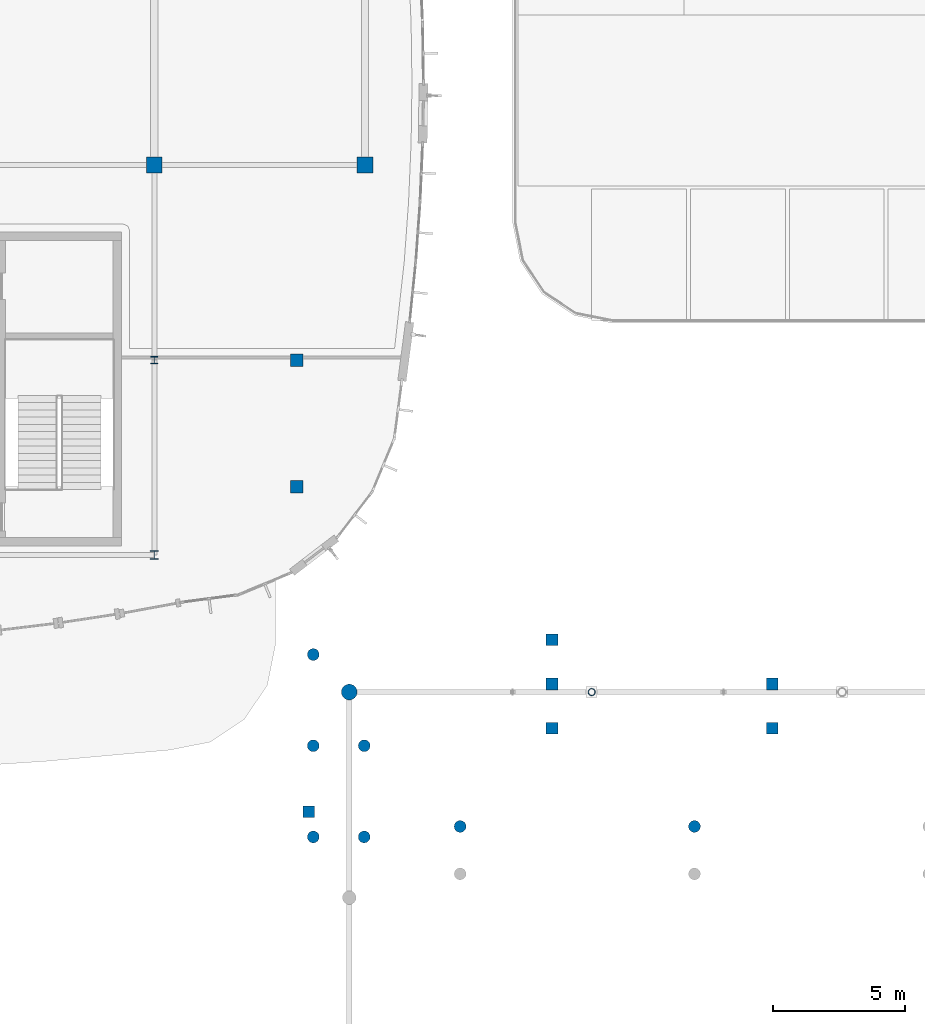
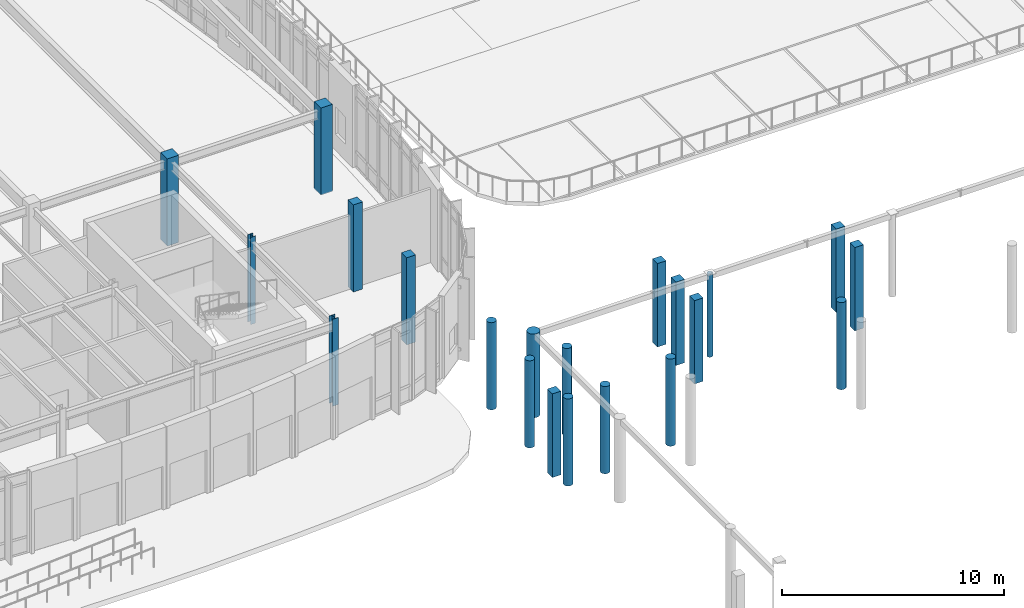
# One storey, part 9 of 120: 21 columns.
"""IFC4 building model written with IfcOpenShell, lengths in metres."""

import ifcopenshell
import ifcopenshell.guid

model = None  # the IFC model being written
_history = None  # IfcOwnerHistory: only IFC2X3 demands one
_inside = {}  # id of a spatial element -> (the spatial element, [elements in it])
_under = {}  # id of a project, library or spatial element -> (it, [spatial elements below it])
_declared = {}  # id of a project -> (the project, [libraries it declares])
_typed = {}  # id of a type object -> (the type object, [elements of that type])
_made_of = {}  # id of a material, layer set ... -> (it, [elements and type objects made of it])


def new_model(schema):
    """Start an empty IFC model of exactly this schema.

    Asked for "IFC4X3", IfcOpenShell would pick the latest addendum, in which some entities
    have other attributes; the version numbers below select the first issue.
    IFC2X3 requires an IfcOwnerHistory on every rooted entity: one is made here for all.
    """
    global model, _history
    if schema == "IFC4X3":
        model = ifcopenshell.file(schema_version=(4, 3, 0, 0))
    else:
        model = ifcopenshell.file(schema=schema)
    _inside.clear()
    _under.clear()
    _declared.clear()
    _typed.clear()
    _made_of.clear()
    _history = None
    if model.schema == "IFC2X3":
        org = make("IfcOrganization", Name="unknown")
        user = make(
            "IfcPersonAndOrganization",
            ThePerson=make("IfcPerson", FamilyName="unknown"),
            TheOrganization=org,
        )
        app = make(
            "IfcApplication",
            ApplicationDeveloper=org,
            Version="unknown",
            ApplicationFullName="unknown",
            ApplicationIdentifier="unknown",
        )
        _history = make(
            "IfcOwnerHistory",
            OwningUser=user,
            OwningApplication=app,
            ChangeAction="ADDED",
            CreationDate=0,
        )
    return model


def make(cls, **values):
    """One entity of the class cls with the attributes given. An attribute that is None is left unset."""
    return model.create_entity(
        cls, **{name: value for name, value in values.items() if value is not None}
    )


def rooted(cls, **values):
    """An entity with a GlobalId (a new one), such as an element, a storey or a relation."""
    return make(cls, GlobalId=ifcopenshell.guid.new(), OwnerHistory=_history, **values)


def si_unit(unit_type, name, prefix=None):
    """IfcSIUnit, for example si_unit("LENGTHUNIT", "METRE", prefix="MILLI")."""
    return make("IfcSIUnit", UnitType=unit_type, Prefix=prefix, Name=name)


def assignment(units):
    """IfcUnitAssignment: the units of a project."""
    return None if units is None else make("IfcUnitAssignment", Units=units)


def point(xyz):
    """IfcCartesianPoint."""
    return None if xyz is None else make("IfcCartesianPoint", Coordinates=xyz)


def direction(xyz):
    """IfcDirection."""
    return None if xyz is None else make("IfcDirection", DirectionRatios=xyz)


def frame(location, z_axis=None, x_axis=None):
    """IfcAxis2Placement3D, a coordinate frame: its origin and axes. An axis left out is left unset."""
    return make(
        "IfcAxis2Placement3D",
        Location=point(location),
        Axis=direction(z_axis),
        RefDirection=direction(x_axis),
    )


def frame_2d(location, x_axis=None):
    """IfcAxis2Placement2D, a coordinate frame in the plane: its origin and x axis."""
    return make(
        "IfcAxis2Placement2D", Location=point(location), RefDirection=direction(x_axis)
    )


def origin():
    """The frame at (0, 0, 0) with its axes left unset."""
    return frame((0.0, 0.0, 0.0))


def origin_2d():
    """The frame at (0, 0) in the plane with its x axis left unset."""
    return frame_2d((0.0, 0.0))


def place(relative_to, where):
    """IfcLocalPlacement: puts the frame where relative to a parent placement (None: the world)."""
    return make(
        "IfcLocalPlacement", PlacementRelTo=relative_to, RelativePlacement=where
    )


def context(
    kind, dimensions, precision=None, world=None, true_north=None, identifier=None
):
    """IfcGeometricRepresentationContext, for example the 3D "Model" context."""
    return make(
        "IfcGeometricRepresentationContext",
        ContextIdentifier=identifier,
        ContextType=kind,
        CoordinateSpaceDimension=dimensions,
        Precision=precision,
        WorldCoordinateSystem=world,
        TrueNorth=true_north,
    )


def subcontext(parent, identifier, kind, view, scale=None):
    """IfcGeometricRepresentationSubContext, for example "Body" below "Model"."""
    return make(
        "IfcGeometricRepresentationSubContext",
        ContextIdentifier=identifier,
        ContextType=kind,
        ParentContext=parent,
        TargetScale=scale,
        TargetView=view,
    )


def project(units=None, contexts=None):
    """IfcProject with its units and contexts."""
    return rooted(
        "IfcProject",
        Name="project",
        RepresentationContexts=contexts,
        UnitsInContext=assignment(units),
    )


def spatial(cls, under=None, at=None, **own):
    """A site, building, storey or space (cls), placed at a placement, below another one or the project."""
    s = rooted(cls, ObjectPlacement=at, **own)
    if under is not None:
        _under.setdefault(under.id(), (under, []))[1].append(s)
    return s


def profile(cls, at=None, kind="AREA", **sizes):
    """A parametric profile (cls). Its sizes go by their IFC names, for example OverallWidth=200.0."""
    return make(cls, ProfileType=kind, Position=at, **sizes)


def rectangle(**sizes):
    """IfcRectangleProfileDef."""
    return profile("IfcRectangleProfileDef", **sizes)


def circle(**sizes):
    """IfcCircleProfileDef."""
    return profile("IfcCircleProfileDef", **sizes)


def hollow_circle(**sizes):
    """IfcCircleHollowProfileDef."""
    return profile("IfcCircleHollowProfileDef", **sizes)


def i_section(**sizes):
    """IfcIShapeProfileDef."""
    return profile("IfcIShapeProfileDef", **sizes)


def extrude(swept, where, along, depth):
    """IfcExtrudedAreaSolid: the profile swept, set in the frame where, extruded along a direction by depth."""
    return make(
        "IfcExtrudedAreaSolid",
        SweptArea=swept,
        Position=where,
        ExtrudedDirection=direction(along),
        Depth=depth,
    )


def shape(context_of_items, identifier, shape_type, items):
    """IfcShapeRepresentation: the items that make up one representation, for example the "Body"."""
    return make(
        "IfcShapeRepresentation",
        ContextOfItems=context_of_items,
        RepresentationIdentifier=identifier,
        RepresentationType=shape_type,
        Items=items,
    )


def material(Name=None, Category=None):
    """IfcMaterial."""
    return make("IfcMaterial", Name=Name, Category=Category)


def material_profile(
    of_material, cross_section, Name=None, Category=None, Priority=None
):
    """IfcMaterialProfile: a cross section and its material."""
    return make(
        "IfcMaterialProfile",
        Name=Name,
        Material=of_material,
        Profile=cross_section,
        Priority=Priority,
        Category=Category,
    )


def profile_set(profiles, Name=None, composite=None):
    """IfcMaterialProfileSet."""
    return make(
        "IfcMaterialProfileSet",
        Name=Name,
        MaterialProfiles=profiles,
        CompositeProfile=composite,
    )


def made_of(thing, what):
    """Note that an element or type object is made of a material, layer set ...; save() writes the relation."""
    if what is not None:
        _made_of.setdefault(what.id(), (what, []))[1].append(thing)
    return thing


def type_object(cls, material=None, **own):
    """A type object (cls), such as IfcWallType, which elements share."""
    return made_of(rooted(cls, **own), material)


def element(
    cls,
    number,
    at=None,
    inside=None,
    cuts=None,
    type_object=None,
    material=None,
    context=None,
    identifier="Body",
    shape_type=None,
    held_by="IfcProductDefinitionShape",
    body=None,
    shapes=None,
    **own,
):
    """One element of the class cls, such as IfcWall. Its Tag is "e" and its number.

    at: its placement. inside: the storey or other place that contains it. cuts: it is an
    opening in that element (IfcRelVoidsElement). A single representation is given by context,
    identifier, shape_type and body (its items); several are given by shapes. held_by: the class
    of the entity that holds the representations. save() writes the other relations.
    """
    e = rooted(cls, Tag="e%d" % number, ObjectPlacement=at, **own)
    if body is not None:
        shapes = [shape(context, identifier, shape_type, body)]
    if shapes is not None:
        e.Representation = make(held_by, Representations=shapes)
    if inside is not None:
        _inside.setdefault(inside.id(), (inside, []))[1].append(e)
    if cuts is not None:
        rooted(
            "IfcRelVoidsElement", RelatingBuildingElement=cuts, RelatedOpeningElement=e
        )
    if type_object is not None:
        _typed.setdefault(type_object.id(), (type_object, []))[1].append(e)
    return made_of(e, material)


def aggregate(whole, parts):
    """IfcRelAggregates: a whole, such as a stair, and the parts it consists of."""
    return rooted("IfcRelAggregates", RelatingObject=whole, RelatedObjects=parts)


def save(model, path):
    """Write the relations noted so far, then the file.

    IfcRelAggregates (storeys below a building ...), IfcRelContainedInSpatialStructure (elements
    in a storey), IfcRelDefinesByType, IfcRelAssociatesMaterial and IfcRelDeclares: one each for
    every whole, place, type object, material and project.
    """
    for whole, parts in _under.values():
        aggregate(whole, parts)
    for where, things in _inside.values():
        rooted(
            "IfcRelContainedInSpatialStructure",
            RelatedElements=things,
            RelatingStructure=where,
        )
    for kind, things in _typed.values():
        rooted("IfcRelDefinesByType", RelatedObjects=things, RelatingType=kind)
    for what, things in _made_of.values():
        rooted("IfcRelAssociatesMaterial", RelatedObjects=things, RelatingMaterial=what)
    for by, libraries in _declared.values():
        rooted("IfcRelDeclares", RelatingContext=by, RelatedDefinitions=libraries)
    model.write(path)


model = new_model("IFC4")

# Units and contexts
model_context = context("Model", 3, precision=1e-05, world=origin(), true_north=direction((0.0, 1.0)))
body_context = subcontext(model_context, "Body", "Model", "MODEL_VIEW")
ifc_project = project(units=[si_unit("LENGTHUNIT", "METRE"), si_unit("AREAUNIT", "SQUARE_METRE"), si_unit("VOLUMEUNIT", "CUBIC_METRE"), si_unit("PLANEANGLEUNIT", "RADIAN"), si_unit("MASSUNIT", "GRAM", prefix="KILO")], contexts=[model_context])

# Site, building, storey
site_placement = place(None, origin())
site = spatial("IfcSite", under=ifc_project, at=site_placement, CompositionType="ELEMENT")
building_placement = place(site_placement, origin())
building = spatial("IfcBuilding", under=site, at=building_placement, Name="Corveleigh Park Community Centre", CompositionType="ELEMENT")
storey_placement = place(building_placement, origin())
storey = spatial("IfcBuildingStorey", under=building, at=storey_placement, Name="L00", CompositionType="ELEMENT", Elevation=0.0)

# Columns
ifc_material_1 = material(Name="Concrete C40/50", Category="concrete")
ifc_material_profile_1 = material_profile(ifc_material_1, rectangle(XDim=0.449951171875, YDim=0.449951171875, at=origin_2d()), Name="RC-450x450", Category="concrete")
ifc_profile_set_1 = profile_set([ifc_material_profile_1], Name="Concrete C40/50")
column_type_1 = type_object("IfcColumnType", Name="COL-RC-450x450", PredefinedType="COLUMN", material=ifc_profile_set_1)
column_1_placement = place(storey_placement, frame((52.260986328125, 68.260986328125, 0.0), z_axis=(0.0, 0.0, 1.0), x_axis=(1.0, 0.0, 0.0)))
element("IfcColumn", 1, at=column_1_placement, inside=storey, type_object=column_type_1, Name="External deck support pier 217 L00", PredefinedType="COLUMN", context=body_context, shape_type="SweptSolid", body=[
    extrude(rectangle(XDim=0.449951171875, YDim=0.449951171875, at=origin_2d()), origin(), (0.0, 0.0, 1.0), 4.615966796875),
])
for number, where, z_axis, x_axis, name in (
    (2, (61.4990234375, 71.427978515625, 0.0), (0.0, 0.0, 1.0), (1.0, 0.0, 0.0), "External deck support pier 219 L00"),
    (3, (61.4990234375, 73.10595703125, 0.0), (0.0, 0.0, 1.0), (1.0, 0.0, 0.0), "External deck support pier 220 L00"),
    (4, (61.4990234375, 74.784912109375, 0.0), (0.0, 0.0, 1.0), (1.0, 0.0, 0.0), "External deck support pier 221 L00"),
    (5, (69.85009765625, 71.427978515625, 0.0), (0.0, 0.0, 1.0), (1.0, 0.0, 0.0), "External deck support pier 222 L00"),
    (6, (69.85009765625, 73.10595703125, 0.0), (0.0, 0.0, 1.0), (1.0, 0.0, 0.0), "External deck support pier 223 L00"),
):
    element("IfcColumn", number, at=place(storey_placement, frame(where, z_axis=z_axis, x_axis=x_axis)), inside=storey, type_object=column_type_1, Name=name, PredefinedType="COLUMN", context=body_context, shape_type="SweptSolid", body=[
        extrude(rectangle(XDim=0.449951171875, YDim=0.449951171875, at=origin_2d()), origin(), (0.0, 0.0, 1.0), 4.595947265625),
    ])
ifc_material_profile_2 = material_profile(ifc_material_1, rectangle(XDim=0.47509765625, YDim=0.47509765625, at=origin_2d()), Name="RC-475x475", Category="concrete")
ifc_profile_set_2 = profile_set([ifc_material_profile_2], Name="Concrete C40/50")
column_type_2 = type_object("IfcColumnType", Name="COL-RC-475x475", PredefinedType="COLUMN", material=ifc_profile_set_2)
for number, where, z_axis, x_axis, name in (
    (7, (51.800048828125, 80.60009765625, 0.0), (0.0, 0.0, 1.0), (1.0, 0.0, 0.0), "Column V2-E4-1 L00"),
    (8, (51.800048828125, 85.39990234375, 0.0), (0.0, 0.0, 1.0), (1.0, 0.0, 0.0), "Column V2-E4-2 L00"),
):
    element("IfcColumn", number, at=place(storey_placement, frame(where, z_axis=z_axis, x_axis=x_axis)), inside=storey, type_object=column_type_2, Name=name, PredefinedType="COLUMN", context=body_context, shape_type="SweptSolid", body=[
        extrude(rectangle(XDim=0.47509765625, YDim=0.47509765625, at=origin_2d()), origin(), (0.0, 0.0, 1.0), 4.800048828125),
    ])
ifc_material_profile_3 = material_profile(ifc_material_1, rectangle(XDim=0.60009765625, YDim=0.60009765625, at=origin_2d()), Name="RC-600x600", Category="concrete")
ifc_profile_set_3 = profile_set([ifc_material_profile_3], Name="Concrete C40/50")
column_type_3 = type_object("IfcColumnType", Name="COL-RC-600x600", PredefinedType="COLUMN", material=ifc_profile_set_3)
for number, where, z_axis, x_axis, name in (
    (9, (46.39990234375, 92.800048828125, 0.0), (0.0, 0.0, 1.0), (1.0, 0.0, 0.0), "Column V2-HS6 L00"),
    (10, (54.39990234375, 92.800048828125, 0.0), (0.0, 0.0, 1.0), (1.0, 0.0, 0.0), "Column V2-HS7 L00"),
):
    element("IfcColumn", number, at=place(storey_placement, frame(where, z_axis=z_axis, x_axis=x_axis)), inside=storey, type_object=column_type_3, Name=name, PredefinedType="COLUMN", context=body_context, shape_type="SweptSolid", body=[
        extrude(rectangle(XDim=0.60009765625, YDim=0.60009765625, at=origin_2d()), origin(), (0.0, 0.0, 1.0), 4.800048828125),
    ])
ifc_material_profile_4 = material_profile(ifc_material_1, circle(Radius=0.22509765625, at=origin_2d()), Name="RC-450D", Category="concrete")
ifc_profile_set_4 = profile_set([ifc_material_profile_4], Name="Concrete C40/50")
column_type_4 = type_object("IfcColumnType", Name="COL-RCE-450D", PredefinedType="COLUMN", material=ifc_profile_set_4)
for number, where, z_axis, x_axis, name in (
    (11, (66.89990234375, 67.699951171875, 0.0), (0.0, 0.0, 1.0), (1.0, 0.0, 0.0), "External deck support pier 105 L00"),
    (12, (58.008056640625, 67.699951171875, 0.0), (0.0, 0.0, 1.0), (1.0, 0.0, 0.0), "External deck support pier 107 L00"),
    (13, (52.43408203125, 67.302978515625, 0.0), (0.0, 0.0, 1.0), (1.0, 0.0, 0.0), "External deck support pier 247 L00"),
    (14, (52.43408203125, 70.763916015625, 0.0), (0.0, 0.0, 1.0), (1.0, 0.0, 0.0), "External deck support pier 248 L00"),
    (15, (52.43408203125, 74.22509765625, 0.0), (0.0, 0.0, 1.0), (1.0, 0.0, 0.0), "External deck support pier 249 L00"),
    (16, (54.365966796875, 67.302978515625, 0.0), (0.0, 0.0, 1.0), (1.0, 0.0, 0.0), "External deck support pier 250 L00"),
    (17, (54.365966796875, 70.763916015625, 0.0), (0.0, 0.0, 1.0), (1.0, 0.0, 0.0), "External deck support pier 251 L00"),
):
    element("IfcColumn", number, at=place(storey_placement, frame(where, z_axis=z_axis, x_axis=x_axis)), inside=storey, type_object=column_type_4, Name=name, PredefinedType="COLUMN", context=body_context, shape_type="SweptSolid", body=[
        extrude(circle(Radius=0.22509765625, at=origin_2d()), origin(), (0.0, 0.0, 1.0), 4.800048828125),
    ])
ifc_material_profile_5 = material_profile(ifc_material_1, circle(Radius=0.300048828125, at=origin_2d()), Name="RC-600D", Category="concrete")
ifc_profile_set_5 = profile_set([ifc_material_profile_5], Name="Concrete C40/50")
column_type_5 = type_object("IfcColumnType", Name="COL-RCE-600D", PredefinedType="COLUMN", material=ifc_profile_set_5)
column_2_placement = place(storey_placement, frame((53.800048828125, 72.800048828125, 0.0), z_axis=(0.0, 0.0, 1.0), x_axis=(1.0, 0.0, 0.0)))
element("IfcColumn", 18, at=column_2_placement, inside=storey, type_object=column_type_5, Name="Column V5-W5 L00", PredefinedType="COLUMN", context=body_context, shape_type="SweptSolid", body=[
    extrude(circle(Radius=0.300048828125, at=origin_2d()), origin(), (0.0, 0.0, 1.0), 4.60791015625),
])
ifc_material_2 = material(Name="Steel S355", Category="steel")
ifc_material_profile_6 = material_profile(ifc_material_2, hollow_circle(Radius=0.136474609375, WallThickness=0.012451171875, at=origin_2d()), Name="CHS 273.0x12.5", Category="steel")
ifc_profile_set_6 = profile_set([ifc_material_profile_6], Name="Steel S355")
column_type_6 = type_object("IfcColumnType", Name="COL-STL-CHS273", PredefinedType="COLUMN", material=ifc_profile_set_6)
column_3_placement = place(storey_placement, frame((63.0, 72.800048828125, 0.0), z_axis=(0.0, 0.0, 1.0), x_axis=(1.0, 0.0, 0.0)))
element("IfcColumn", 19, at=column_3_placement, inside=storey, type_object=column_type_6, Name="Column V5-N1 L00", PredefinedType="COLUMN", context=body_context, shape_type="SweptSolid", body=[
    extrude(hollow_circle(Radius=0.136474609375, WallThickness=0.012451171875, at=origin_2d()), origin(), (0.0, 0.0, 1.0), 4.56591796875),
])
ifc_material_profile_7 = material_profile(ifc_material_2, i_section(OverallWidth=0.26123046875, OverallDepth=0.2763671875, WebThickness=0.015380859375, FlangeThickness=0.025390625, at=origin_2d()), Name="UKC 254x254x132", Category="steel")
ifc_profile_set_7 = profile_set([ifc_material_profile_7], Name="Steel S355")
column_type_7 = type_object("IfcColumnType", Name="COL-STL-UKC254x132", PredefinedType="COLUMN", material=ifc_profile_set_7)
column_4_placement = place(storey_placement, frame((46.39990234375, 85.39990234375, 0.0), z_axis=(0.0, 0.0, 1.0), x_axis=(1.0, 0.0, 0.0)))
element("IfcColumn", 20, at=column_4_placement, inside=storey, type_object=column_type_7, Name="Column V2-ST-X5Y1 L00", PredefinedType="COLUMN", context=body_context, shape_type="SweptSolid", body=[
    extrude(i_section(OverallWidth=0.26123046875, OverallDepth=0.2763671875, WebThickness=0.015380859375, FlangeThickness=0.025390625, at=origin_2d()), origin(), (0.0, 0.0, 1.0), 4.800048828125),
])
ifc_material_profile_8 = material_profile(ifc_material_2, i_section(OverallWidth=0.305419921875, OverallDepth=0.307861328125, WebThickness=0.010009765625, FlangeThickness=0.015380859375, at=origin_2d()), Name="UKC 305x305x97", Category="steel")
ifc_profile_set_8 = profile_set([ifc_material_profile_8], Name="Steel S355")
column_type_8 = type_object("IfcColumnType", Name="COL-STL-UKC305x97", PredefinedType="COLUMN", material=ifc_profile_set_8)
column_5_placement = place(storey_placement, frame((46.39990234375, 78.0, 0.0), z_axis=(0.0, 0.0, 1.0), x_axis=(1.0, 0.0, 0.0)))
element("IfcColumn", 21, at=column_5_placement, inside=storey, type_object=column_type_8, Name="Column V2-ST-X5Y0 L00", PredefinedType="COLUMN", context=body_context, shape_type="SweptSolid", body=[
    extrude(i_section(OverallWidth=0.305419921875, OverallDepth=0.307861328125, WebThickness=0.010009765625, FlangeThickness=0.015380859375, at=origin_2d()), origin(), (0.0, 0.0, 1.0), 4.800048828125),
])

save(model, "model.ifc")
